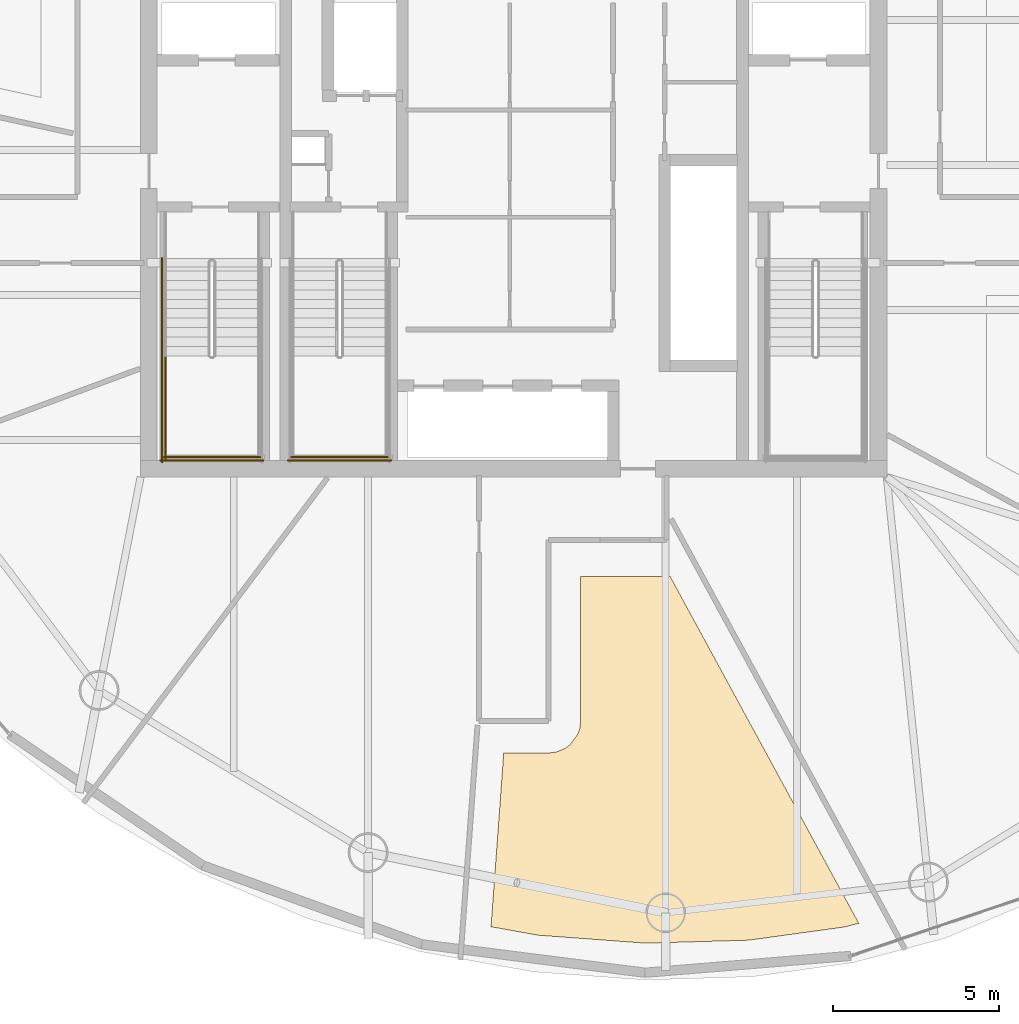
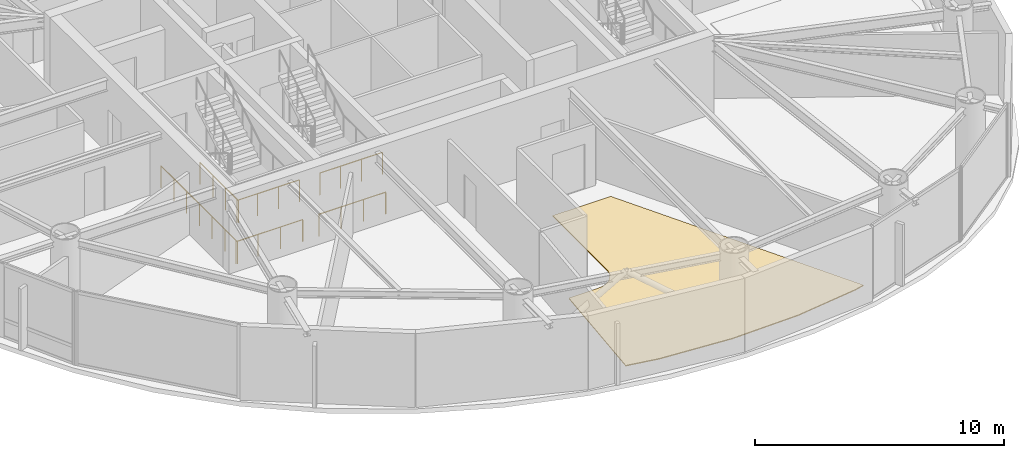
# One storey, part 17 of 19: 6 railings, 1 covering.
"""IFC4 building model written with IfcOpenShell, lengths in metres."""

from ifc_helpers import new_model, si_unit, direction, frame, origin, origin_2d, place, context, subcontext, project, spatial, polyline, circle, outline, extrude, material, layer, layer_set, type_object, element, save


model = new_model("IFC4")

# Units and contexts
model_context = context("Model", 3, precision=1e-05, world=origin(), true_north=direction((0.0, 1.0)))
body_context = subcontext(model_context, "Body", "Model", "MODEL_VIEW")
ifc_project = project(units=[si_unit("LENGTHUNIT", "METRE"), si_unit("AREAUNIT", "SQUARE_METRE"), si_unit("VOLUMEUNIT", "CUBIC_METRE"), si_unit("PLANEANGLEUNIT", "RADIAN"), si_unit("MASSUNIT", "GRAM", prefix="KILO")], contexts=[model_context])

# Site, building, storey
site_placement = place(None, origin())
site = spatial("IfcSite", under=ifc_project, at=site_placement, CompositionType="ELEMENT")
building_placement = place(site_placement, origin())
building = spatial("IfcBuilding", under=site, at=building_placement, Name="Bramvorn Convention Spire", CompositionType="ELEMENT")
storey_placement = place(building_placement, frame((0.0, 0.0, 198.14990234375)))
storey = spatial("IfcBuildingStorey", under=building, at=storey_placement, Name="L50", CompositionType="ELEMENT", Elevation=198.14990234375)

# Covering
ifc_material_1 = material(Name="Calcium-Sulphate Raised Access Office Floor", Category="steel")
ifc_layer = layer(ifc_material_1, 0.044921875)
ifc_layer_set = layer_set([ifc_layer], Name="Calcium-Sulphate Raised Access Office Floor - FLR-RAISED-45")
covering_type = type_object("IfcCoveringType", Name="FLR-RAISED-45", PredefinedType="FLOORING", material=ifc_layer_set)
covering_placement = place(storey_placement, origin())
element("IfcCovering", 1, at=covering_placement, inside=storey, type_object=covering_type, Name="L50 Staff Dining Nook 9 raised floor finish", PredefinedType="FLOORING", context=body_context, shape_type="SweptSolid", body=[
    extrude(outline(polyline([(37.316162109375, 4.990234375), (38.7294921875, 4.736083984375), (41.974853515625, 4.495361328125), (45.08447265625, 4.585205078125), (47.9833984375, 4.98486328125), (48.404052734375, 5.095703125), (42.717041015625, 15.550048828125), (40.02001953125, 15.550048828125), (40.02001953125, 11.199951171875), (39.9921875, 10.97021484375), (39.92919921875, 10.790771484375), (39.697021484375, 10.477294921875), (39.543701171875, 10.364990234375), (39.29150390625, 10.260498046875), (39.050048828125, 10.22998046875), (37.69921875, 10.22998046875), (37.316162109375, 4.990234375)])), origin(), (0.0, 0.0, 1.0), 0.045166015625),
])

# Railings
ifc_material_2 = material(Name="Painted Steel Balustrade & Guardrail", Category="steel")
railing_type = type_object("IfcRailingType", Name="RL-STAIR-GUARD-1100", PredefinedType="GUARDRAIL", material=ifc_material_2)
railing_1_placement = place(storey_placement, frame((27.5, 22.199951171875, 1.925048828125)))
element("IfcRailing", 2, at=railing_1_placement, inside=storey, type_object=railing_type, Name="L50 ST1 stair guard 3", PredefinedType="GUARDRAIL", context=body_context, shape_type="SweptSolid", body=[
    extrude(circle(Radius=0.02392578125, at=origin_2d()), frame((0.0, 0.0, 1.076171875), z_axis=(0.0, -1.0, 0.0), x_axis=(1.0, 0.0, 0.0)), (0.0, 0.0, 1.0), 3.099853515625),
    extrude(circle(Radius=0.02099609375, at=origin_2d()), origin(), (0.0, 0.0, 1.0), 1.052001953125),
    extrude(circle(Radius=0.02099609375, at=origin_2d()), frame((0.0, -1.033203125, 0.0)), (0.0, 0.0, 1.0), 1.052001953125),
    extrude(circle(Radius=0.02099609375, at=origin_2d()), frame((0.0, -2.066650390625, 0.0)), (0.0, 0.0, 1.0), 1.052001953125),
    extrude(circle(Radius=0.02099609375, at=origin_2d()), frame((0.0, -3.099853515625, 0.0)), (0.0, 0.0, 1.0), 1.052001953125),
])
railing_2_placement = place(storey_placement, frame((27.449951171875, 19.14990234375, 1.925048828125)))
element("IfcRailing", 3, at=railing_2_placement, inside=storey, type_object=railing_type, Name="L50 ST1 stair guard 5", PredefinedType="GUARDRAIL", context=body_context, shape_type="SweptSolid", body=[
    extrude(circle(Radius=0.02392578125, at=origin_2d()), frame((0.0, 0.0, 1.076171875), z_axis=(1.0, 0.0, 0.0), x_axis=(0.0, 1.0, 0.0)), (0.0, 0.0, 1.0), 2.900146484375),
    extrude(circle(Radius=0.02099609375, at=origin_2d()), origin(), (0.0, 0.0, 1.0), 1.052001953125),
    extrude(circle(Radius=0.02099609375, at=origin_2d()), frame((0.966796875, 0.0, 0.0)), (0.0, 0.0, 1.0), 1.052001953125),
    extrude(circle(Radius=0.02099609375, at=origin_2d()), frame((1.933349609375, 0.0, 0.0)), (0.0, 0.0, 1.0), 1.052001953125),
    extrude(circle(Radius=0.02099609375, at=origin_2d()), frame((2.900146484375, 0.0, 0.0)), (0.0, 0.0, 1.0), 1.052001953125),
])
railing_3_placement = place(storey_placement, frame((27.39990234375, 25.14990234375, 0.0)))
element("IfcRailing", 4, at=railing_3_placement, inside=storey, type_object=railing_type, Name="L50 ST1 stair guard 10", PredefinedType="GUARDRAIL", context=body_context, shape_type="SweptSolid", body=[
    extrude(circle(Radius=0.02392578125, at=origin_2d()), frame((0.0, 0.0, 1.076171875), z_axis=(0.0, -1.0, 0.0), x_axis=(1.0, 0.0, 0.0)), (0.0, 0.0, 1.0), 6.14990234375),
    extrude(circle(Radius=0.02099609375, at=origin_2d()), origin(), (0.0, 0.0, 1.0), 1.052001953125),
    extrude(circle(Radius=0.02099609375, at=origin_2d()), frame((0.0, -1.02490234375, 0.0)), (0.0, 0.0, 1.0), 1.052001953125),
    extrude(circle(Radius=0.02099609375, at=origin_2d()), frame((0.0, -2.050048828125, 0.0)), (0.0, 0.0, 1.0), 1.052001953125),
    extrude(circle(Radius=0.02099609375, at=origin_2d()), frame((0.0, -3.074951171875, 0.0)), (0.0, 0.0, 1.0), 1.052001953125),
    extrude(circle(Radius=0.02099609375, at=origin_2d()), frame((0.0, -4.099853515625, 0.0)), (0.0, 0.0, 1.0), 1.052001953125),
    extrude(circle(Radius=0.02099609375, at=origin_2d()), frame((0.0, -5.125, 0.0)), (0.0, 0.0, 1.0), 1.052001953125),
    extrude(circle(Radius=0.02099609375, at=origin_2d()), frame((0.0, -6.14990234375, 0.0)), (0.0, 0.0, 1.0), 1.052001953125),
])
railing_4_placement = place(storey_placement, frame((27.35009765625, 19.050048828125, 0.0)))
element("IfcRailing", 5, at=railing_4_placement, inside=storey, type_object=railing_type, Name="L50 ST1 stair guard 12", PredefinedType="GUARDRAIL", context=body_context, shape_type="SweptSolid", body=[
    extrude(circle(Radius=0.02392578125, at=origin_2d()), frame((0.0, 0.0, 1.076171875), z_axis=(1.0, 0.0, 0.0), x_axis=(0.0, 1.0, 0.0)), (0.0, 0.0, 1.0), 3.099853515625),
    extrude(circle(Radius=0.02099609375, at=origin_2d()), origin(), (0.0, 0.0, 1.0), 1.052001953125),
    extrude(circle(Radius=0.02099609375, at=origin_2d()), frame((1.033203125, 0.0, 0.0)), (0.0, 0.0, 1.0), 1.052001953125),
    extrude(circle(Radius=0.02099609375, at=origin_2d()), frame((2.066650390625, 0.0, 0.0)), (0.0, 0.0, 1.0), 1.052001953125),
    extrude(circle(Radius=0.02099609375, at=origin_2d()), frame((3.099853515625, 0.0, 0.0)), (0.0, 0.0, 1.0), 1.052001953125),
])
railing_5_placement = place(storey_placement, frame((31.300048828125, 19.14990234375, 1.925048828125)))
element("IfcRailing", 6, at=railing_5_placement, inside=storey, type_object=railing_type, Name="L50 ST3 stair guard 5", PredefinedType="GUARDRAIL", context=body_context, shape_type="SweptSolid", body=[
    extrude(circle(Radius=0.02392578125, at=origin_2d()), frame((0.0, 0.0, 1.076171875), z_axis=(1.0, 0.0, 0.0), x_axis=(0.0, 1.0, 0.0)), (0.0, 0.0, 1.0), 2.89990234375),
    extrude(circle(Radius=0.02099609375, at=origin_2d()), origin(), (0.0, 0.0, 1.0), 1.052001953125),
    extrude(circle(Radius=0.02099609375, at=origin_2d()), frame((0.966552734375, 0.0, 0.0)), (0.0, 0.0, 1.0), 1.052001953125),
    extrude(circle(Radius=0.02099609375, at=origin_2d()), frame((1.933349609375, 0.0, 0.0)), (0.0, 0.0, 1.0), 1.052001953125),
    extrude(circle(Radius=0.02099609375, at=origin_2d()), frame((2.89990234375, 0.0, 0.0)), (0.0, 0.0, 1.0), 1.052001953125),
])
railing_6_placement = place(storey_placement, frame((31.199951171875, 19.050048828125, 0.0)))
element("IfcRailing", 7, at=railing_6_placement, inside=storey, type_object=railing_type, Name="L50 ST3 stair guard 12", PredefinedType="GUARDRAIL", context=body_context, shape_type="SweptSolid", body=[
    extrude(circle(Radius=0.02392578125, at=origin_2d()), frame((0.0, 0.0, 1.076171875), z_axis=(1.0, 0.0, 0.0), x_axis=(0.0, 1.0, 0.0)), (0.0, 0.0, 1.0), 3.10009765625),
    extrude(circle(Radius=0.02099609375, at=origin_2d()), origin(), (0.0, 0.0, 1.0), 1.052001953125),
    extrude(circle(Radius=0.02099609375, at=origin_2d()), frame((1.033447265625, 0.0, 0.0)), (0.0, 0.0, 1.0), 1.052001953125),
    extrude(circle(Radius=0.02099609375, at=origin_2d()), frame((2.066650390625, 0.0, 0.0)), (0.0, 0.0, 1.0), 1.052001953125),
    extrude(circle(Radius=0.02099609375, at=origin_2d()), frame((3.10009765625, 0.0, 0.0)), (0.0, 0.0, 1.0), 1.052001953125),
])

save(model, "model.ifc")
